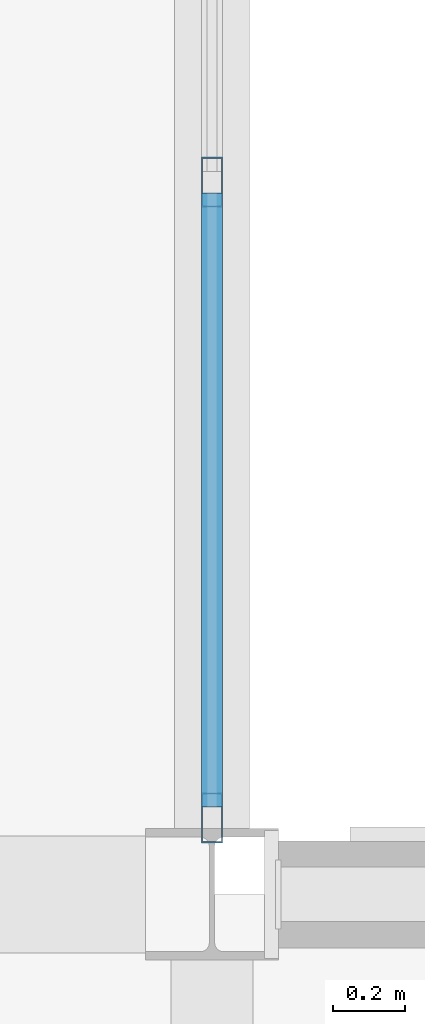
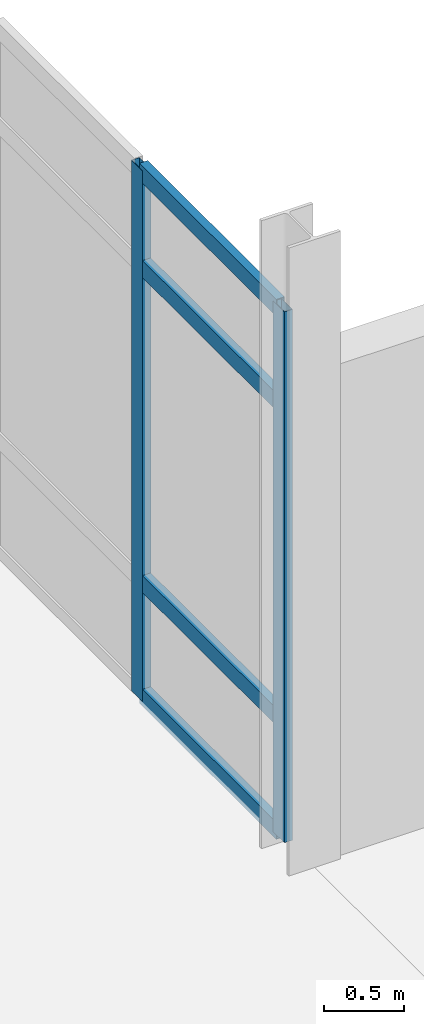
# One storey, part 44 of 186: 6 members, 1 element without a shape of its own.
"""IFC4 building model written with IfcOpenShell, lengths in metres."""

from ifc_helpers import new_model, si_unit, direction, frame, origin, origin_2d, place, context, subcontext, project, spatial, hollow_rectangle, extrude, material, layer, layer_set, material_profile, profile_set, type_object, element, aggregate, save


model = new_model("IFC4")

# Units and contexts
model_context = context("Model", 3, precision=1e-05, world=origin(), true_north=direction((0.0, 1.0)))
body_context = subcontext(model_context, "Body", "Model", "MODEL_VIEW")
ifc_project = project(units=[si_unit("LENGTHUNIT", "METRE"), si_unit("AREAUNIT", "SQUARE_METRE"), si_unit("VOLUMEUNIT", "CUBIC_METRE"), si_unit("PLANEANGLEUNIT", "RADIAN"), si_unit("MASSUNIT", "GRAM", prefix="KILO")], contexts=[model_context])

# Site, building, storey
site_placement = place(None, origin())
site = spatial("IfcSite", under=ifc_project, at=site_placement, CompositionType="ELEMENT")
building_placement = place(site_placement, origin())
building = spatial("IfcBuilding", under=site, at=building_placement, Name="Calvrana Isthmian Art Gallery", CompositionType="ELEMENT")
storey_placement = place(building_placement, frame((0.0, 0.0, 5.39990234375)))
storey = spatial("IfcBuildingStorey", under=building, at=storey_placement, Name="L01", CompositionType="ELEMENT", Elevation=5.39990234375)

# Curtain wall, members
ifc_material = material(Name="Anodized bronze aluminium 6063-T6", Category="aluminium")
ifc_layer = layer(ifc_material, 0.179931640625, Name="Anodized bronze aluminium 6063-T6")
ifc_layer_set = layer_set([ifc_layer], Name="Anodized bronze aluminium 6063-T6")
curtain_wall_type = type_object("IfcCurtainWallType", Name="CW-STICK-072X41", PredefinedType="NOTDEFINED", material=ifc_layer_set)
curtain_wall_placement = place(storey_placement, origin())
curtain_wall = element("IfcCurtainWall", 1, at=curtain_wall_placement, inside=storey, type_object=curtain_wall_type, Name="Curtain wall CW-126", PredefinedType="NOTDEFINED")
ifc_material_profile_1 = material_profile(ifc_material, hollow_rectangle(XDim=0.06005859375, YDim=0.139892578125, WallThickness=0.00390625, at=origin_2d()), Name="CWM60X140")
ifc_profile_set_1 = profile_set([ifc_material_profile_1], Name="Anodized bronze aluminium 6063-T6")
member_type_1 = type_object("IfcMemberType", Name="CWM-CWM60X140", PredefinedType="MULLION", material=ifc_profile_set_1)
member_1_placement = place(storey_placement, frame((63.60009765625, 63.991455078125, 0.0), z_axis=(0.0, 0.0, 1.0), x_axis=(1.0, 0.0, 0.0)))
member_1 = element("IfcMember", 2, at=member_1_placement, type_object=member_type_1, Name="CW-126 mullion 4", PredefinedType="MULLION", context=body_context, shape_type="SweptSolid", body=[
    extrude(hollow_rectangle(XDim=0.06005859375, YDim=0.139892578125, WallThickness=0.00390625, at=origin_2d()), origin(), (0.0, 0.0, 1.0), 4.05810546875),
])
member_2_placement = place(storey_placement, frame((63.60009765625, 62.214111328125, 0.0), z_axis=(0.0, 0.0, 1.0), x_axis=(1.0, 0.0, 0.0)))
member_2 = element("IfcMember", 3, at=member_2_placement, type_object=member_type_1, Name="CW-126 mullion 5", PredefinedType="MULLION", context=body_context, shape_type="SweptSolid", body=[
    extrude(hollow_rectangle(XDim=0.06005859375, YDim=0.139892578125, WallThickness=0.00390625, at=origin_2d()), origin(), (0.0, 0.0, 1.0), 4.05810546875),
])
ifc_material_profile_2 = material_profile(ifc_material, hollow_rectangle(XDim=0.06005859375, YDim=0.1298828125, WallThickness=0.00390625, at=origin_2d()), Name="CWT60X130")
ifc_profile_set_2 = profile_set([ifc_material_profile_2], Name="Anodized bronze aluminium 6063-T6")
member_type_2 = type_object("IfcMemberType", Name="CWT-CWT60X130", PredefinedType="USERDEFINED", material=ifc_profile_set_2)
member_3_placement = place(storey_placement, frame((63.60009765625, 63.96142578125, 0.030029296875), z_axis=(0.0, -1.0, 0.0), x_axis=(1.0, 0.0, 0.0)))
member_3 = element("IfcMember", 4, at=member_3_placement, type_object=member_type_2, Name="CW-126 transom 4.1", ObjectType="TRANSOM", PredefinedType="USERDEFINED", context=body_context, shape_type="SweptSolid", body=[
    extrude(hollow_rectangle(XDim=0.06005859375, YDim=0.1298828125, WallThickness=0.00390625, at=origin_2d()), origin(), (0.0, 0.0, 1.0), 1.717529296875),
])
member_4_placement = place(storey_placement, frame((63.60009765625, 63.96142578125, 0.900146484375), z_axis=(0.0, -1.0, 0.0), x_axis=(1.0, 0.0, 0.0)))
member_4 = element("IfcMember", 5, at=member_4_placement, type_object=member_type_2, Name="CW-126 transom 4.2", ObjectType="TRANSOM", PredefinedType="USERDEFINED", context=body_context, shape_type="SweptSolid", body=[
    extrude(hollow_rectangle(XDim=0.06005859375, YDim=0.1298828125, WallThickness=0.00390625, at=origin_2d()), origin(), (0.0, 0.0, 1.0), 1.717529296875),
])
member_5_placement = place(storey_placement, frame((63.60009765625, 63.96142578125, 3.30810546875), z_axis=(0.0, -1.0, 0.0), x_axis=(1.0, 0.0, 0.0)))
member_5 = element("IfcMember", 6, at=member_5_placement, type_object=member_type_2, Name="CW-126 transom 4.3", ObjectType="TRANSOM", PredefinedType="USERDEFINED", context=body_context, shape_type="SweptSolid", body=[
    extrude(hollow_rectangle(XDim=0.06005859375, YDim=0.1298828125, WallThickness=0.00390625, at=origin_2d()), origin(), (0.0, 0.0, 1.0), 1.717529296875),
])
member_6_placement = place(storey_placement, frame((63.60009765625, 63.96142578125, 4.028076171875), z_axis=(0.0, -1.0, 0.0), x_axis=(1.0, 0.0, 0.0)))
member_6 = element("IfcMember", 7, at=member_6_placement, type_object=member_type_2, Name="CW-126 transom 4.4", ObjectType="TRANSOM", PredefinedType="USERDEFINED", context=body_context, shape_type="SweptSolid", body=[
    extrude(hollow_rectangle(XDim=0.06005859375, YDim=0.1298828125, WallThickness=0.00390625, at=origin_2d()), origin(), (0.0, 0.0, 1.0), 1.717529296875),
])
aggregate(curtain_wall, [member_1, member_2, member_3, member_4, member_5, member_6])

save(model, "model.ifc")
